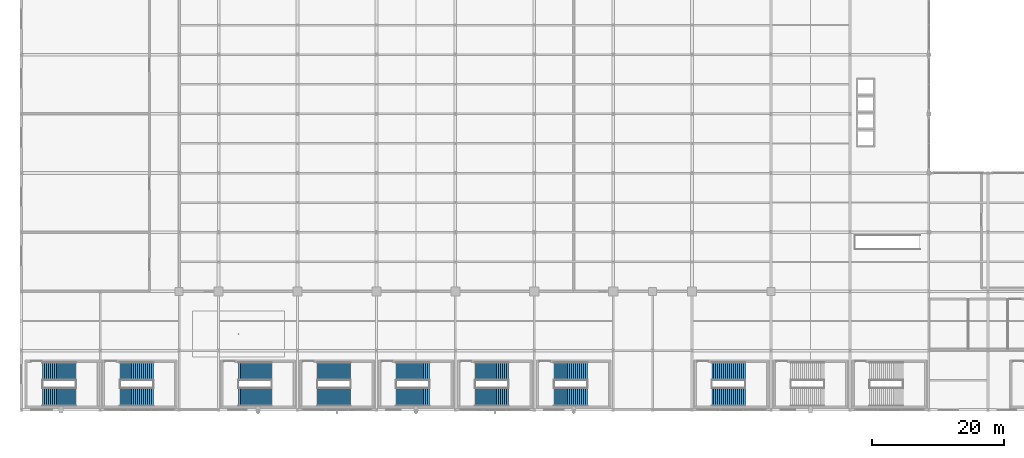
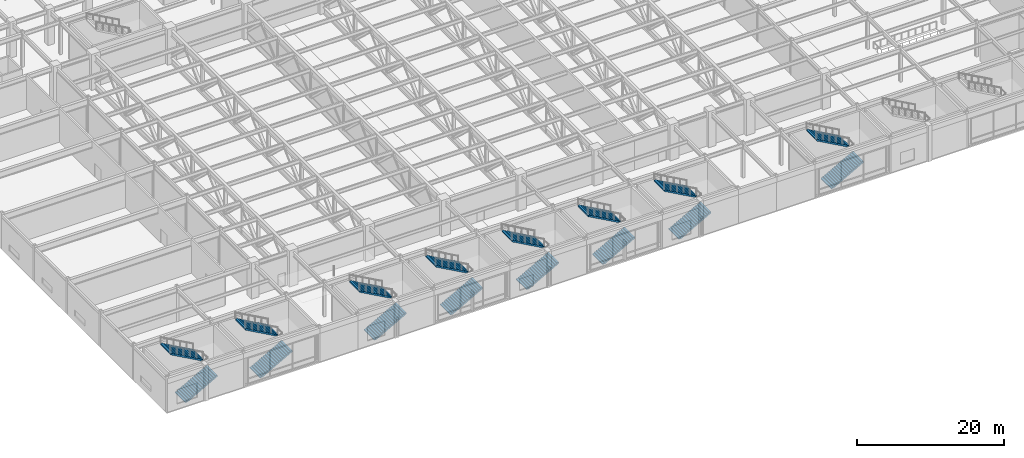
# One storey, part 97 of 108: 16 stair flights, 8 elements without a shape of their own.
"""IFC4 building model written with IfcOpenShell, lengths in metres."""

from ifc_helpers import new_model, si_unit, direction, frame, origin, place, context, subcontext, project, spatial, polyline, outline, extrude, material, type_object, element, aggregate, save


model = new_model("IFC4")

# Units and contexts
model_context = context("Model", 3, precision=1e-05, world=origin(), true_north=direction((0.0, 1.0)))
body_context = subcontext(model_context, "Body", "Model", "MODEL_VIEW")
ifc_project = project(units=[si_unit("LENGTHUNIT", "METRE"), si_unit("AREAUNIT", "SQUARE_METRE"), si_unit("VOLUMEUNIT", "CUBIC_METRE"), si_unit("PLANEANGLEUNIT", "RADIAN"), si_unit("MASSUNIT", "GRAM", prefix="KILO")], contexts=[model_context])

# Site, building, storey
site_placement = place(None, origin())
site = spatial("IfcSite", under=ifc_project, at=site_placement, CompositionType="ELEMENT")
building_placement = place(site_placement, origin())
building = spatial("IfcBuilding", under=site, at=building_placement, Name="Kaldorvane Square Convention Centre", CompositionType="ELEMENT")
storey_placement = place(building_placement, frame((0.0, 0.0, 12.0)))
storey = spatial("IfcBuildingStorey", under=building, at=storey_placement, Name="L02", CompositionType="ELEMENT", Elevation=12.0)

# Stair, stair flights
ifc_material = material(Name="Concrete f'c = 42 MPa (Normalweight)", Category="concrete")
stair_type = type_object("IfcStairType", Name="ST-DL-2800-6000-D6710", PredefinedType="HALF_TURN_STAIR", material=ifc_material)
stair_1_placement = place(storey_placement, origin())
stair_1 = element("IfcStair", 1, at=stair_1_placement, inside=storey, type_object=stair_type, Name="Convention Exit Stair C1 (L02)", PredefinedType="HALF_TURN_STAIR")
stair_flight_type = type_object("IfcStairFlightType", Name="SF-STR-2800-18R", PredefinedType="STRAIGHT", material=ifc_material)
stair_flight_1_placement = place(storey_placement, frame((3.2100067138671875, 1.9499969482421875, 0.0), z_axis=(0.0, 0.0, 1.0), x_axis=(1.0, 0.0, 0.0)))
stair_flight_1 = element("IfcStairFlight", 2, at=stair_flight_1_placement, type_object=stair_flight_type, Name="Convention Exit Stair C1 Flight 1 (L02)", NumberOfRisers=18, NumberOfTreads=17, PredefinedType="STRAIGHT", RiserHeight=0.166666667, TreadLength=0.3, context=body_context, shape_type="SweptSolid", body=[
    extrude(outline(polyline([(0.0, 0.0), (0.0, 0.1666717529296875), (0.3000030517578125, 0.1666717529296875), (0.3000030517578125, 0.3333282470703125), (0.600006103515625, 0.3333282470703125), (0.600006103515625, 0.5), (0.899993896484375, 0.5), (0.899993896484375, 0.6666717529296875), (1.1999969482421875, 0.6666717529296875), (1.1999969482421875, 0.8333282470703125), (1.5, 0.8333282470703125), (1.5, 1.0), (1.8000030517578125, 1.0), (1.8000030517578125, 1.1666717529296875), (2.100006103515625, 1.1666717529296875), (2.100006103515625, 1.3333282470703125), (2.399993896484375, 1.3333282470703125), (2.399993896484375, 1.5), (2.6999969482421875, 1.5), (2.6999969482421875, 1.6666717529296875), (3.0, 1.6666717529296875), (3.0, 1.8333282470703125), (3.3000030517578125, 1.8333282470703125), (3.3000030517578125, 2.0), (3.600006103515625, 2.0), (3.600006103515625, 2.1666717529296875), (3.899993896484375, 2.1666717529296875), (3.899993896484375, 2.3333282470703125), (4.1999969482421875, 2.3333282470703125), (4.1999969482421875, 2.5), (4.5, 2.5), (4.5, 2.6666717529296875), (4.8000030517578125, 2.6666717529296875), (4.8000030517578125, 2.8333282470703125), (5.100006103515625, 2.8333282470703125), (5.100006103515625, 3.0), (5.100006103515625, 2.6045379638671875), (0.4118194580078125, 0.0), (0.0, 0.0)])), frame((0.0, 1.399993896484375, 0.0), z_axis=(0.0, -1.0, 0.0), x_axis=(1.0, 0.0, 0.0)), (0.0, 0.0, 1.0), 2.8000030517578125),
])
stair_flight_2_placement = place(storey_placement, frame((8.30999755859375, 5.8600006103515625, 3.0), z_axis=(0.0, 0.0, 1.0), x_axis=(-1.0, 0.0, 0.0)))
stair_flight_2 = element("IfcStairFlight", 3, at=stair_flight_2_placement, type_object=stair_flight_type, Name="Convention Exit Stair C1 Flight 2 (L02)", NumberOfRisers=18, NumberOfTreads=17, PredefinedType="STRAIGHT", RiserHeight=0.166666667, TreadLength=0.3, context=body_context, shape_type="SweptSolid", body=[
    extrude(outline(polyline([(0.0, 0.0), (0.0, 0.1666717529296875), (0.3000030517578125, 0.1666717529296875), (0.3000030517578125, 0.3333282470703125), (0.600006103515625, 0.3333282470703125), (0.600006103515625, 0.5), (0.899993896484375, 0.5), (0.899993896484375, 0.6666717529296875), (1.1999969482421875, 0.6666717529296875), (1.1999969482421875, 0.8333282470703125), (1.5, 0.8333282470703125), (1.5, 1.0), (1.8000030517578125, 1.0), (1.8000030517578125, 1.1666717529296875), (2.100006103515625, 1.1666717529296875), (2.100006103515625, 1.3333282470703125), (2.399993896484375, 1.3333282470703125), (2.399993896484375, 1.5), (2.6999969482421875, 1.5), (2.6999969482421875, 1.6666717529296875), (3.0, 1.6666717529296875), (3.0, 1.8333282470703125), (3.3000030517578125, 1.8333282470703125), (3.3000030517578125, 2.0), (3.600006103515625, 2.0), (3.600006103515625, 2.1666717529296875), (3.899993896484375, 2.1666717529296875), (3.899993896484375, 2.3333282470703125), (4.1999969482421875, 2.3333282470703125), (4.1999969482421875, 2.5), (4.5, 2.5), (4.5, 2.6666717529296875), (4.8000030517578125, 2.6666717529296875), (4.8000030517578125, 2.8333282470703125), (5.100006103515625, 2.8333282470703125), (5.100006103515625, 3.0), (5.100006103515625, 2.6045379638671875), (0.4118194580078125, 0.0), (0.0, 0.0)])), frame((0.0, 1.399993896484375, 0.0), z_axis=(0.0, -1.0, 0.0), x_axis=(1.0, 0.0, 0.0)), (0.0, 0.0, 1.0), 2.8000030517578125),
])
aggregate(stair_1, [stair_flight_1, stair_flight_2])

stair_2_placement = place(storey_placement, origin())
stair_2 = element("IfcStair", 4, at=stair_2_placement, inside=storey, type_object=stair_type, Name="Convention Exit Stair C2 (L02)", PredefinedType="HALF_TURN_STAIR")
stair_flight_3_placement = place(storey_placement, frame((14.990005493164062, 1.9499969482421875, 0.0), z_axis=(0.0, 0.0, 1.0), x_axis=(1.0, 0.0, 0.0)))
stair_flight_3 = element("IfcStairFlight", 5, at=stair_flight_3_placement, type_object=stair_flight_type, Name="Convention Exit Stair C2 Flight 1 (L02)", NumberOfRisers=18, NumberOfTreads=17, PredefinedType="STRAIGHT", RiserHeight=0.166666667, TreadLength=0.3, context=body_context, shape_type="SweptSolid", body=[
    extrude(outline(polyline([(0.0, 0.0), (0.0, 0.1666717529296875), (0.3000030517578125, 0.1666717529296875), (0.3000030517578125, 0.3333282470703125), (0.600006103515625, 0.3333282470703125), (0.600006103515625, 0.5), (0.899993896484375, 0.5), (0.899993896484375, 0.6666717529296875), (1.1999969482421875, 0.6666717529296875), (1.1999969482421875, 0.8333282470703125), (1.5, 0.8333282470703125), (1.5, 1.0), (1.8000030517578125, 1.0), (1.8000030517578125, 1.1666717529296875), (2.100006103515625, 1.1666717529296875), (2.100006103515625, 1.3333282470703125), (2.399993896484375, 1.3333282470703125), (2.399993896484375, 1.5), (2.6999969482421875, 1.5), (2.6999969482421875, 1.6666717529296875), (3.0, 1.6666717529296875), (3.0, 1.8333282470703125), (3.3000030517578125, 1.8333282470703125), (3.3000030517578125, 2.0), (3.600006103515625, 2.0), (3.600006103515625, 2.1666717529296875), (3.899993896484375, 2.1666717529296875), (3.899993896484375, 2.3333282470703125), (4.1999969482421875, 2.3333282470703125), (4.1999969482421875, 2.5), (4.5, 2.5), (4.5, 2.6666717529296875), (4.8000030517578125, 2.6666717529296875), (4.8000030517578125, 2.8333282470703125), (5.100006103515625, 2.8333282470703125), (5.100006103515625, 3.0), (5.100006103515625, 2.6045379638671875), (0.4118194580078125, 0.0), (0.0, 0.0)])), frame((0.0, 1.399993896484375, 0.0), z_axis=(0.0, -1.0, 0.0), x_axis=(1.0, 0.0, 0.0)), (0.0, 0.0, 1.0), 2.8000030517578125),
])
stair_flight_4_placement = place(storey_placement, frame((20.089996337890625, 5.8600006103515625, 3.0), z_axis=(0.0, 0.0, 1.0), x_axis=(-1.0, 0.0, 0.0)))
stair_flight_4 = element("IfcStairFlight", 6, at=stair_flight_4_placement, type_object=stair_flight_type, Name="Convention Exit Stair C2 Flight 2 (L02)", NumberOfRisers=18, NumberOfTreads=17, PredefinedType="STRAIGHT", RiserHeight=0.166666667, TreadLength=0.3, context=body_context, shape_type="SweptSolid", body=[
    extrude(outline(polyline([(0.0, 0.0), (0.0, 0.1666717529296875), (0.3000030517578125, 0.1666717529296875), (0.3000030517578125, 0.3333282470703125), (0.600006103515625, 0.3333282470703125), (0.600006103515625, 0.5), (0.899993896484375, 0.5), (0.899993896484375, 0.6666717529296875), (1.1999969482421875, 0.6666717529296875), (1.1999969482421875, 0.8333282470703125), (1.5, 0.8333282470703125), (1.5, 1.0), (1.8000030517578125, 1.0), (1.8000030517578125, 1.1666717529296875), (2.100006103515625, 1.1666717529296875), (2.100006103515625, 1.3333282470703125), (2.399993896484375, 1.3333282470703125), (2.399993896484375, 1.5), (2.6999969482421875, 1.5), (2.6999969482421875, 1.6666717529296875), (3.0, 1.6666717529296875), (3.0, 1.8333282470703125), (3.3000030517578125, 1.8333282470703125), (3.3000030517578125, 2.0), (3.600006103515625, 2.0), (3.600006103515625, 2.1666717529296875), (3.899993896484375, 2.1666717529296875), (3.899993896484375, 2.3333282470703125), (4.1999969482421875, 2.3333282470703125), (4.1999969482421875, 2.5), (4.5, 2.5), (4.5, 2.6666717529296875), (4.8000030517578125, 2.6666717529296875), (4.8000030517578125, 2.8333282470703125), (5.100006103515625, 2.8333282470703125), (5.100006103515625, 3.0), (5.100006103515625, 2.6045379638671875), (0.4118194580078125, 0.0), (0.0, 0.0)])), frame((0.0, 1.399993896484375, 0.0), z_axis=(0.0, -1.0, 0.0), x_axis=(1.0, 0.0, 0.0)), (0.0, 0.0, 1.0), 2.8000030517578125),
])
aggregate(stair_2, [stair_flight_3, stair_flight_4])

stair_3_placement = place(storey_placement, origin())
stair_3 = element("IfcStair", 7, at=stair_3_placement, inside=storey, type_object=stair_type, Name="Convention Exit Stair C3 (L02)", PredefinedType="HALF_TURN_STAIR")
stair_flight_5_placement = place(storey_placement, frame((32.99000549316406, 1.9499969482421875, 0.0), z_axis=(0.0, 0.0, 1.0), x_axis=(1.0, 0.0, 0.0)))
stair_flight_5 = element("IfcStairFlight", 8, at=stair_flight_5_placement, type_object=stair_flight_type, Name="Convention Exit Stair C3 Flight 1 (L02)", NumberOfRisers=18, NumberOfTreads=17, PredefinedType="STRAIGHT", RiserHeight=0.166666667, TreadLength=0.3, context=body_context, shape_type="SweptSolid", body=[
    extrude(outline(polyline([(0.0, 0.0), (0.0, 0.1666717529296875), (0.3000030517578125, 0.1666717529296875), (0.3000030517578125, 0.3333282470703125), (0.600006103515625, 0.3333282470703125), (0.600006103515625, 0.5), (0.899993896484375, 0.5), (0.899993896484375, 0.6666717529296875), (1.1999969482421875, 0.6666717529296875), (1.1999969482421875, 0.8333282470703125), (1.5, 0.8333282470703125), (1.5, 1.0), (1.8000030517578125, 1.0), (1.8000030517578125, 1.1666717529296875), (2.100006103515625, 1.1666717529296875), (2.100006103515625, 1.3333282470703125), (2.399993896484375, 1.3333282470703125), (2.399993896484375, 1.5), (2.6999969482421875, 1.5), (2.6999969482421875, 1.6666717529296875), (3.0, 1.6666717529296875), (3.0, 1.8333282470703125), (3.3000030517578125, 1.8333282470703125), (3.3000030517578125, 2.0), (3.600006103515625, 2.0), (3.600006103515625, 2.1666717529296875), (3.899993896484375, 2.1666717529296875), (3.899993896484375, 2.3333282470703125), (4.1999969482421875, 2.3333282470703125), (4.1999969482421875, 2.5), (4.5, 2.5), (4.5, 2.6666717529296875), (4.8000030517578125, 2.6666717529296875), (4.8000030517578125, 2.8333282470703125), (5.100006103515625, 2.8333282470703125), (5.100006103515625, 3.0), (5.100006103515625, 2.6045379638671875), (0.4118194580078125, 0.0), (0.0, 0.0)])), frame((0.0, 1.399993896484375, 0.0), z_axis=(0.0, -1.0, 0.0), x_axis=(1.0, 0.0, 0.0)), (0.0, 0.0, 1.0), 2.8000030517578125),
])
stair_flight_6_placement = place(storey_placement, frame((38.089996337890625, 5.8600006103515625, 3.0), z_axis=(0.0, 0.0, 1.0), x_axis=(-1.0, 0.0, 0.0)))
stair_flight_6 = element("IfcStairFlight", 9, at=stair_flight_6_placement, type_object=stair_flight_type, Name="Convention Exit Stair C3 Flight 2 (L02)", NumberOfRisers=18, NumberOfTreads=17, PredefinedType="STRAIGHT", RiserHeight=0.166666667, TreadLength=0.3, context=body_context, shape_type="SweptSolid", body=[
    extrude(outline(polyline([(0.0, 0.0), (0.0, 0.1666717529296875), (0.3000030517578125, 0.1666717529296875), (0.3000030517578125, 0.3333282470703125), (0.600006103515625, 0.3333282470703125), (0.600006103515625, 0.5), (0.899993896484375, 0.5), (0.899993896484375, 0.6666717529296875), (1.1999969482421875, 0.6666717529296875), (1.1999969482421875, 0.8333282470703125), (1.5, 0.8333282470703125), (1.5, 1.0), (1.8000030517578125, 1.0), (1.8000030517578125, 1.1666717529296875), (2.100006103515625, 1.1666717529296875), (2.100006103515625, 1.3333282470703125), (2.399993896484375, 1.3333282470703125), (2.399993896484375, 1.5), (2.6999969482421875, 1.5), (2.6999969482421875, 1.6666717529296875), (3.0, 1.6666717529296875), (3.0, 1.8333282470703125), (3.3000030517578125, 1.8333282470703125), (3.3000030517578125, 2.0), (3.600006103515625, 2.0), (3.600006103515625, 2.1666717529296875), (3.899993896484375, 2.1666717529296875), (3.899993896484375, 2.3333282470703125), (4.1999969482421875, 2.3333282470703125), (4.1999969482421875, 2.5), (4.5, 2.5), (4.5, 2.6666717529296875), (4.8000030517578125, 2.6666717529296875), (4.8000030517578125, 2.8333282470703125), (5.100006103515625, 2.8333282470703125), (5.100006103515625, 3.0), (5.100006103515625, 2.6045379638671875), (0.4118194580078125, 0.0), (0.0, 0.0)])), frame((0.0, 1.399993896484375, 0.0), z_axis=(0.0, -1.0, 0.0), x_axis=(1.0, 0.0, 0.0)), (0.0, 0.0, 1.0), 2.8000030517578125),
])
aggregate(stair_3, [stair_flight_5, stair_flight_6])

stair_4_placement = place(storey_placement, origin())
stair_4 = element("IfcStair", 10, at=stair_4_placement, inside=storey, type_object=stair_type, Name="Convention Exit Stair C4 (L02)", PredefinedType="HALF_TURN_STAIR")
stair_flight_7_placement = place(storey_placement, frame((44.99000549316406, 1.9499969482421875, 0.0), z_axis=(0.0, 0.0, 1.0), x_axis=(1.0, 0.0, 0.0)))
stair_flight_7 = element("IfcStairFlight", 11, at=stair_flight_7_placement, type_object=stair_flight_type, Name="Convention Exit Stair C4 Flight 1 (L02)", NumberOfRisers=18, NumberOfTreads=17, PredefinedType="STRAIGHT", RiserHeight=0.166666667, TreadLength=0.3, context=body_context, shape_type="SweptSolid", body=[
    extrude(outline(polyline([(0.0, 0.0), (0.0, 0.1666717529296875), (0.3000030517578125, 0.1666717529296875), (0.3000030517578125, 0.3333282470703125), (0.600006103515625, 0.3333282470703125), (0.600006103515625, 0.5), (0.899993896484375, 0.5), (0.899993896484375, 0.6666717529296875), (1.1999969482421875, 0.6666717529296875), (1.1999969482421875, 0.8333282470703125), (1.5, 0.8333282470703125), (1.5, 1.0), (1.8000030517578125, 1.0), (1.8000030517578125, 1.1666717529296875), (2.100006103515625, 1.1666717529296875), (2.100006103515625, 1.3333282470703125), (2.399993896484375, 1.3333282470703125), (2.399993896484375, 1.5), (2.6999969482421875, 1.5), (2.6999969482421875, 1.6666717529296875), (3.0, 1.6666717529296875), (3.0, 1.8333282470703125), (3.3000030517578125, 1.8333282470703125), (3.3000030517578125, 2.0), (3.600006103515625, 2.0), (3.600006103515625, 2.1666717529296875), (3.899993896484375, 2.1666717529296875), (3.899993896484375, 2.3333282470703125), (4.1999969482421875, 2.3333282470703125), (4.1999969482421875, 2.5), (4.5, 2.5), (4.5, 2.6666717529296875), (4.8000030517578125, 2.6666717529296875), (4.8000030517578125, 2.8333282470703125), (5.100006103515625, 2.8333282470703125), (5.100006103515625, 3.0), (5.100006103515625, 2.6045379638671875), (0.4118194580078125, 0.0), (0.0, 0.0)])), frame((0.0, 1.399993896484375, 0.0), z_axis=(0.0, -1.0, 0.0), x_axis=(1.0, 0.0, 0.0)), (0.0, 0.0, 1.0), 2.8000030517578125),
])
stair_flight_8_placement = place(storey_placement, frame((50.089996337890625, 5.8600006103515625, 3.0), z_axis=(0.0, 0.0, 1.0), x_axis=(-1.0, 0.0, 0.0)))
stair_flight_8 = element("IfcStairFlight", 12, at=stair_flight_8_placement, type_object=stair_flight_type, Name="Convention Exit Stair C4 Flight 2 (L02)", NumberOfRisers=18, NumberOfTreads=17, PredefinedType="STRAIGHT", RiserHeight=0.166666667, TreadLength=0.3, context=body_context, shape_type="SweptSolid", body=[
    extrude(outline(polyline([(0.0, 0.0), (0.0, 0.1666717529296875), (0.3000030517578125, 0.1666717529296875), (0.3000030517578125, 0.3333282470703125), (0.600006103515625, 0.3333282470703125), (0.600006103515625, 0.5), (0.899993896484375, 0.5), (0.899993896484375, 0.6666717529296875), (1.1999969482421875, 0.6666717529296875), (1.1999969482421875, 0.8333282470703125), (1.5, 0.8333282470703125), (1.5, 1.0), (1.8000030517578125, 1.0), (1.8000030517578125, 1.1666717529296875), (2.100006103515625, 1.1666717529296875), (2.100006103515625, 1.3333282470703125), (2.399993896484375, 1.3333282470703125), (2.399993896484375, 1.5), (2.6999969482421875, 1.5), (2.6999969482421875, 1.6666717529296875), (3.0, 1.6666717529296875), (3.0, 1.8333282470703125), (3.3000030517578125, 1.8333282470703125), (3.3000030517578125, 2.0), (3.600006103515625, 2.0), (3.600006103515625, 2.1666717529296875), (3.899993896484375, 2.1666717529296875), (3.899993896484375, 2.3333282470703125), (4.1999969482421875, 2.3333282470703125), (4.1999969482421875, 2.5), (4.5, 2.5), (4.5, 2.6666717529296875), (4.8000030517578125, 2.6666717529296875), (4.8000030517578125, 2.8333282470703125), (5.100006103515625, 2.8333282470703125), (5.100006103515625, 3.0), (5.100006103515625, 2.6045379638671875), (0.4118194580078125, 0.0), (0.0, 0.0)])), frame((0.0, 1.399993896484375, 0.0), z_axis=(0.0, -1.0, 0.0), x_axis=(1.0, 0.0, 0.0)), (0.0, 0.0, 1.0), 2.8000030517578125),
])
aggregate(stair_4, [stair_flight_7, stair_flight_8])

stair_5_placement = place(storey_placement, origin())
stair_5 = element("IfcStair", 13, at=stair_5_placement, inside=storey, type_object=stair_type, Name="Convention Exit Stair C5 (L02)", PredefinedType="HALF_TURN_STAIR")
stair_flight_9_placement = place(storey_placement, frame((56.99000549316406, 1.9499969482421875, 0.0), z_axis=(0.0, 0.0, 1.0), x_axis=(1.0, 0.0, 0.0)))
stair_flight_9 = element("IfcStairFlight", 14, at=stair_flight_9_placement, type_object=stair_flight_type, Name="Convention Exit Stair C5 Flight 1 (L02)", NumberOfRisers=18, NumberOfTreads=17, PredefinedType="STRAIGHT", RiserHeight=0.166666667, TreadLength=0.3, context=body_context, shape_type="SweptSolid", body=[
    extrude(outline(polyline([(0.0, 0.0), (0.0, 0.1666717529296875), (0.3000030517578125, 0.1666717529296875), (0.3000030517578125, 0.3333282470703125), (0.600006103515625, 0.3333282470703125), (0.600006103515625, 0.5), (0.899993896484375, 0.5), (0.899993896484375, 0.6666717529296875), (1.1999969482421875, 0.6666717529296875), (1.1999969482421875, 0.8333282470703125), (1.5, 0.8333282470703125), (1.5, 1.0), (1.8000030517578125, 1.0), (1.8000030517578125, 1.1666717529296875), (2.100006103515625, 1.1666717529296875), (2.100006103515625, 1.3333282470703125), (2.399993896484375, 1.3333282470703125), (2.399993896484375, 1.5), (2.6999969482421875, 1.5), (2.6999969482421875, 1.6666717529296875), (3.0, 1.6666717529296875), (3.0, 1.8333282470703125), (3.3000030517578125, 1.8333282470703125), (3.3000030517578125, 2.0), (3.600006103515625, 2.0), (3.600006103515625, 2.1666717529296875), (3.899993896484375, 2.1666717529296875), (3.899993896484375, 2.3333282470703125), (4.1999969482421875, 2.3333282470703125), (4.1999969482421875, 2.5), (4.5, 2.5), (4.5, 2.6666717529296875), (4.8000030517578125, 2.6666717529296875), (4.8000030517578125, 2.8333282470703125), (5.100006103515625, 2.8333282470703125), (5.100006103515625, 3.0), (5.100006103515625, 2.6045379638671875), (0.4118194580078125, 0.0), (0.0, 0.0)])), frame((0.0, 1.399993896484375, 0.0), z_axis=(0.0, -1.0, 0.0), x_axis=(1.0, 0.0, 0.0)), (0.0, 0.0, 1.0), 2.8000030517578125),
])
stair_flight_10_placement = place(storey_placement, frame((62.089996337890625, 5.8600006103515625, 3.0), z_axis=(0.0, 0.0, 1.0), x_axis=(-1.0, 0.0, 0.0)))
stair_flight_10 = element("IfcStairFlight", 15, at=stair_flight_10_placement, type_object=stair_flight_type, Name="Convention Exit Stair C5 Flight 2 (L02)", NumberOfRisers=18, NumberOfTreads=17, PredefinedType="STRAIGHT", RiserHeight=0.166666667, TreadLength=0.3, context=body_context, shape_type="SweptSolid", body=[
    extrude(outline(polyline([(0.0, 0.0), (0.0, 0.1666717529296875), (0.3000030517578125, 0.1666717529296875), (0.3000030517578125, 0.3333282470703125), (0.600006103515625, 0.3333282470703125), (0.600006103515625, 0.5), (0.899993896484375, 0.5), (0.899993896484375, 0.6666717529296875), (1.1999969482421875, 0.6666717529296875), (1.1999969482421875, 0.8333282470703125), (1.5, 0.8333282470703125), (1.5, 1.0), (1.8000030517578125, 1.0), (1.8000030517578125, 1.1666717529296875), (2.100006103515625, 1.1666717529296875), (2.100006103515625, 1.3333282470703125), (2.399993896484375, 1.3333282470703125), (2.399993896484375, 1.5), (2.6999969482421875, 1.5), (2.6999969482421875, 1.6666717529296875), (3.0, 1.6666717529296875), (3.0, 1.8333282470703125), (3.3000030517578125, 1.8333282470703125), (3.3000030517578125, 2.0), (3.600006103515625, 2.0), (3.600006103515625, 2.1666717529296875), (3.899993896484375, 2.1666717529296875), (3.899993896484375, 2.3333282470703125), (4.1999969482421875, 2.3333282470703125), (4.1999969482421875, 2.5), (4.5, 2.5), (4.5, 2.6666717529296875), (4.8000030517578125, 2.6666717529296875), (4.8000030517578125, 2.8333282470703125), (5.100006103515625, 2.8333282470703125), (5.100006103515625, 3.0), (5.100006103515625, 2.6045379638671875), (0.4118194580078125, 0.0), (0.0, 0.0)])), frame((0.0, 1.399993896484375, 0.0), z_axis=(0.0, -1.0, 0.0), x_axis=(1.0, 0.0, 0.0)), (0.0, 0.0, 1.0), 2.8000030517578125),
])
aggregate(stair_5, [stair_flight_9, stair_flight_10])

stair_6_placement = place(storey_placement, origin())
stair_6 = element("IfcStair", 16, at=stair_6_placement, inside=storey, type_object=stair_type, Name="Convention Exit Stair C6 (L02)", PredefinedType="HALF_TURN_STAIR")
stair_flight_11_placement = place(storey_placement, frame((68.99000549316406, 1.9499969482421875, 0.0), z_axis=(0.0, 0.0, 1.0), x_axis=(1.0, 0.0, 0.0)))
stair_flight_11 = element("IfcStairFlight", 17, at=stair_flight_11_placement, type_object=stair_flight_type, Name="Convention Exit Stair C6 Flight 1 (L02)", NumberOfRisers=18, NumberOfTreads=17, PredefinedType="STRAIGHT", RiserHeight=0.166666667, TreadLength=0.3, context=body_context, shape_type="SweptSolid", body=[
    extrude(outline(polyline([(0.0, 0.0), (0.0, 0.1666717529296875), (0.3000030517578125, 0.1666717529296875), (0.3000030517578125, 0.3333282470703125), (0.600006103515625, 0.3333282470703125), (0.600006103515625, 0.5), (0.899993896484375, 0.5), (0.899993896484375, 0.6666717529296875), (1.1999969482421875, 0.6666717529296875), (1.1999969482421875, 0.8333282470703125), (1.5, 0.8333282470703125), (1.5, 1.0), (1.8000030517578125, 1.0), (1.8000030517578125, 1.1666717529296875), (2.100006103515625, 1.1666717529296875), (2.100006103515625, 1.3333282470703125), (2.399993896484375, 1.3333282470703125), (2.399993896484375, 1.5), (2.6999969482421875, 1.5), (2.6999969482421875, 1.6666717529296875), (3.0, 1.6666717529296875), (3.0, 1.8333282470703125), (3.3000030517578125, 1.8333282470703125), (3.3000030517578125, 2.0), (3.600006103515625, 2.0), (3.600006103515625, 2.1666717529296875), (3.899993896484375, 2.1666717529296875), (3.899993896484375, 2.3333282470703125), (4.1999969482421875, 2.3333282470703125), (4.1999969482421875, 2.5), (4.5, 2.5), (4.5, 2.6666717529296875), (4.8000030517578125, 2.6666717529296875), (4.8000030517578125, 2.8333282470703125), (5.100006103515625, 2.8333282470703125), (5.100006103515625, 3.0), (5.100006103515625, 2.6045379638671875), (0.4118194580078125, 0.0), (0.0, 0.0)])), frame((0.0, 1.399993896484375, 0.0), z_axis=(0.0, -1.0, 0.0), x_axis=(1.0, 0.0, 0.0)), (0.0, 0.0, 1.0), 2.8000030517578125),
])
stair_flight_12_placement = place(storey_placement, frame((74.08999633789062, 5.8600006103515625, 3.0), z_axis=(0.0, 0.0, 1.0), x_axis=(-1.0, 0.0, 0.0)))
stair_flight_12 = element("IfcStairFlight", 18, at=stair_flight_12_placement, type_object=stair_flight_type, Name="Convention Exit Stair C6 Flight 2 (L02)", NumberOfRisers=18, NumberOfTreads=17, PredefinedType="STRAIGHT", RiserHeight=0.166666667, TreadLength=0.3, context=body_context, shape_type="SweptSolid", body=[
    extrude(outline(polyline([(0.0, 0.0), (0.0, 0.1666717529296875), (0.3000030517578125, 0.1666717529296875), (0.3000030517578125, 0.3333282470703125), (0.600006103515625, 0.3333282470703125), (0.600006103515625, 0.5), (0.899993896484375, 0.5), (0.899993896484375, 0.6666717529296875), (1.1999969482421875, 0.6666717529296875), (1.1999969482421875, 0.8333282470703125), (1.5, 0.8333282470703125), (1.5, 1.0), (1.8000030517578125, 1.0), (1.8000030517578125, 1.1666717529296875), (2.100006103515625, 1.1666717529296875), (2.100006103515625, 1.3333282470703125), (2.399993896484375, 1.3333282470703125), (2.399993896484375, 1.5), (2.6999969482421875, 1.5), (2.6999969482421875, 1.6666717529296875), (3.0, 1.6666717529296875), (3.0, 1.8333282470703125), (3.3000030517578125, 1.8333282470703125), (3.3000030517578125, 2.0), (3.600006103515625, 2.0), (3.600006103515625, 2.1666717529296875), (3.899993896484375, 2.1666717529296875), (3.899993896484375, 2.3333282470703125), (4.1999969482421875, 2.3333282470703125), (4.1999969482421875, 2.5), (4.5, 2.5), (4.5, 2.6666717529296875), (4.8000030517578125, 2.6666717529296875), (4.8000030517578125, 2.8333282470703125), (5.100006103515625, 2.8333282470703125), (5.100006103515625, 3.0), (5.100006103515625, 2.6045379638671875), (0.4118194580078125, 0.0), (0.0, 0.0)])), frame((0.0, 1.399993896484375, 0.0), z_axis=(0.0, -1.0, 0.0), x_axis=(1.0, 0.0, 0.0)), (0.0, 0.0, 1.0), 2.8000030517578125),
])
aggregate(stair_6, [stair_flight_11, stair_flight_12])

stair_7_placement = place(storey_placement, origin())
stair_7 = element("IfcStair", 19, at=stair_7_placement, inside=storey, type_object=stair_type, Name="Convention Exit Stair C7 (L02)", PredefinedType="HALF_TURN_STAIR")
stair_flight_13_placement = place(storey_placement, frame((80.99000549316406, 1.9499969482421875, 0.0), z_axis=(0.0, 0.0, 1.0), x_axis=(1.0, 0.0, 0.0)))
stair_flight_13 = element("IfcStairFlight", 20, at=stair_flight_13_placement, type_object=stair_flight_type, Name="Convention Exit Stair C7 Flight 1 (L02)", NumberOfRisers=18, NumberOfTreads=17, PredefinedType="STRAIGHT", RiserHeight=0.166666667, TreadLength=0.3, context=body_context, shape_type="SweptSolid", body=[
    extrude(outline(polyline([(0.0, 0.0), (0.0, 0.1666717529296875), (0.3000030517578125, 0.1666717529296875), (0.3000030517578125, 0.3333282470703125), (0.600006103515625, 0.3333282470703125), (0.600006103515625, 0.5), (0.899993896484375, 0.5), (0.899993896484375, 0.6666717529296875), (1.1999969482421875, 0.6666717529296875), (1.1999969482421875, 0.8333282470703125), (1.5, 0.8333282470703125), (1.5, 1.0), (1.8000030517578125, 1.0), (1.8000030517578125, 1.1666717529296875), (2.100006103515625, 1.1666717529296875), (2.100006103515625, 1.3333282470703125), (2.399993896484375, 1.3333282470703125), (2.399993896484375, 1.5), (2.6999969482421875, 1.5), (2.6999969482421875, 1.6666717529296875), (3.0, 1.6666717529296875), (3.0, 1.8333282470703125), (3.3000030517578125, 1.8333282470703125), (3.3000030517578125, 2.0), (3.600006103515625, 2.0), (3.600006103515625, 2.1666717529296875), (3.899993896484375, 2.1666717529296875), (3.899993896484375, 2.3333282470703125), (4.1999969482421875, 2.3333282470703125), (4.1999969482421875, 2.5), (4.5, 2.5), (4.5, 2.6666717529296875), (4.8000030517578125, 2.6666717529296875), (4.8000030517578125, 2.8333282470703125), (5.100006103515625, 2.8333282470703125), (5.100006103515625, 3.0), (5.100006103515625, 2.6045379638671875), (0.4118194580078125, 0.0), (0.0, 0.0)])), frame((0.0, 1.399993896484375, 0.0), z_axis=(0.0, -1.0, 0.0), x_axis=(1.0, 0.0, 0.0)), (0.0, 0.0, 1.0), 2.8000030517578125),
])
stair_flight_14_placement = place(storey_placement, frame((86.08999633789062, 5.8600006103515625, 3.0), z_axis=(0.0, 0.0, 1.0), x_axis=(-1.0, 0.0, 0.0)))
stair_flight_14 = element("IfcStairFlight", 21, at=stair_flight_14_placement, type_object=stair_flight_type, Name="Convention Exit Stair C7 Flight 2 (L02)", NumberOfRisers=18, NumberOfTreads=17, PredefinedType="STRAIGHT", RiserHeight=0.166666667, TreadLength=0.3, context=body_context, shape_type="SweptSolid", body=[
    extrude(outline(polyline([(0.0, 0.0), (0.0, 0.1666717529296875), (0.3000030517578125, 0.1666717529296875), (0.3000030517578125, 0.3333282470703125), (0.600006103515625, 0.3333282470703125), (0.600006103515625, 0.5), (0.899993896484375, 0.5), (0.899993896484375, 0.6666717529296875), (1.1999969482421875, 0.6666717529296875), (1.1999969482421875, 0.8333282470703125), (1.5, 0.8333282470703125), (1.5, 1.0), (1.8000030517578125, 1.0), (1.8000030517578125, 1.1666717529296875), (2.100006103515625, 1.1666717529296875), (2.100006103515625, 1.3333282470703125), (2.399993896484375, 1.3333282470703125), (2.399993896484375, 1.5), (2.6999969482421875, 1.5), (2.6999969482421875, 1.6666717529296875), (3.0, 1.6666717529296875), (3.0, 1.8333282470703125), (3.3000030517578125, 1.8333282470703125), (3.3000030517578125, 2.0), (3.600006103515625, 2.0), (3.600006103515625, 2.1666717529296875), (3.899993896484375, 2.1666717529296875), (3.899993896484375, 2.3333282470703125), (4.1999969482421875, 2.3333282470703125), (4.1999969482421875, 2.5), (4.5, 2.5), (4.5, 2.6666717529296875), (4.8000030517578125, 2.6666717529296875), (4.8000030517578125, 2.8333282470703125), (5.100006103515625, 2.8333282470703125), (5.100006103515625, 3.0), (5.100006103515625, 2.6045379638671875), (0.4118194580078125, 0.0), (0.0, 0.0)])), frame((0.0, 1.399993896484375, 0.0), z_axis=(0.0, -1.0, 0.0), x_axis=(1.0, 0.0, 0.0)), (0.0, 0.0, 1.0), 2.8000030517578125),
])
aggregate(stair_7, [stair_flight_13, stair_flight_14])

stair_8_placement = place(storey_placement, origin())
stair_8 = element("IfcStair", 22, at=stair_8_placement, inside=storey, type_object=stair_type, Name="Convention Exit Stair C8 (L02)", PredefinedType="HALF_TURN_STAIR")
stair_flight_15_placement = place(storey_placement, frame((104.99000549316406, 1.9499969482421875, 0.0), z_axis=(0.0, 0.0, 1.0), x_axis=(1.0, 0.0, 0.0)))
stair_flight_15 = element("IfcStairFlight", 23, at=stair_flight_15_placement, type_object=stair_flight_type, Name="Convention Exit Stair C8 Flight 1 (L02)", NumberOfRisers=18, NumberOfTreads=17, PredefinedType="STRAIGHT", RiserHeight=0.166666667, TreadLength=0.3, context=body_context, shape_type="SweptSolid", body=[
    extrude(outline(polyline([(0.0, 0.0), (0.0, 0.1666717529296875), (0.3000030517578125, 0.1666717529296875), (0.3000030517578125, 0.3333282470703125), (0.600006103515625, 0.3333282470703125), (0.600006103515625, 0.5), (0.899993896484375, 0.5), (0.899993896484375, 0.6666717529296875), (1.1999969482421875, 0.6666717529296875), (1.1999969482421875, 0.8333282470703125), (1.5, 0.8333282470703125), (1.5, 1.0), (1.8000030517578125, 1.0), (1.8000030517578125, 1.1666717529296875), (2.100006103515625, 1.1666717529296875), (2.100006103515625, 1.3333282470703125), (2.399993896484375, 1.3333282470703125), (2.399993896484375, 1.5), (2.6999969482421875, 1.5), (2.6999969482421875, 1.6666717529296875), (3.0, 1.6666717529296875), (3.0, 1.8333282470703125), (3.3000030517578125, 1.8333282470703125), (3.3000030517578125, 2.0), (3.600006103515625, 2.0), (3.600006103515625, 2.1666717529296875), (3.899993896484375, 2.1666717529296875), (3.899993896484375, 2.3333282470703125), (4.1999969482421875, 2.3333282470703125), (4.1999969482421875, 2.5), (4.5, 2.5), (4.5, 2.6666717529296875), (4.8000030517578125, 2.6666717529296875), (4.8000030517578125, 2.8333282470703125), (5.100006103515625, 2.8333282470703125), (5.100006103515625, 3.0), (5.100006103515625, 2.6045379638671875), (0.4118194580078125, 0.0), (0.0, 0.0)])), frame((0.0, 1.399993896484375, 0.0), z_axis=(0.0, -1.0, 0.0), x_axis=(1.0, 0.0, 0.0)), (0.0, 0.0, 1.0), 2.8000030517578125),
])
stair_flight_16_placement = place(storey_placement, frame((110.08999633789062, 5.8600006103515625, 3.0), z_axis=(0.0, 0.0, 1.0), x_axis=(-1.0, 0.0, 0.0)))
stair_flight_16 = element("IfcStairFlight", 24, at=stair_flight_16_placement, type_object=stair_flight_type, Name="Convention Exit Stair C8 Flight 2 (L02)", NumberOfRisers=18, NumberOfTreads=17, PredefinedType="STRAIGHT", RiserHeight=0.166666667, TreadLength=0.3, context=body_context, shape_type="SweptSolid", body=[
    extrude(outline(polyline([(0.0, 0.0), (0.0, 0.1666717529296875), (0.3000030517578125, 0.1666717529296875), (0.3000030517578125, 0.3333282470703125), (0.600006103515625, 0.3333282470703125), (0.600006103515625, 0.5), (0.899993896484375, 0.5), (0.899993896484375, 0.6666717529296875), (1.1999969482421875, 0.6666717529296875), (1.1999969482421875, 0.8333282470703125), (1.5, 0.8333282470703125), (1.5, 1.0), (1.8000030517578125, 1.0), (1.8000030517578125, 1.1666717529296875), (2.100006103515625, 1.1666717529296875), (2.100006103515625, 1.3333282470703125), (2.399993896484375, 1.3333282470703125), (2.399993896484375, 1.5), (2.6999969482421875, 1.5), (2.6999969482421875, 1.6666717529296875), (3.0, 1.6666717529296875), (3.0, 1.8333282470703125), (3.3000030517578125, 1.8333282470703125), (3.3000030517578125, 2.0), (3.600006103515625, 2.0), (3.600006103515625, 2.1666717529296875), (3.899993896484375, 2.1666717529296875), (3.899993896484375, 2.3333282470703125), (4.1999969482421875, 2.3333282470703125), (4.1999969482421875, 2.5), (4.5, 2.5), (4.5, 2.6666717529296875), (4.8000030517578125, 2.6666717529296875), (4.8000030517578125, 2.8333282470703125), (5.100006103515625, 2.8333282470703125), (5.100006103515625, 3.0), (5.100006103515625, 2.6045379638671875), (0.4118194580078125, 0.0), (0.0, 0.0)])), frame((0.0, 1.399993896484375, 0.0), z_axis=(0.0, -1.0, 0.0), x_axis=(1.0, 0.0, 0.0)), (0.0, 0.0, 1.0), 2.8000030517578125),
])
aggregate(stair_8, [stair_flight_15, stair_flight_16])

save(model, "model.ifc")
